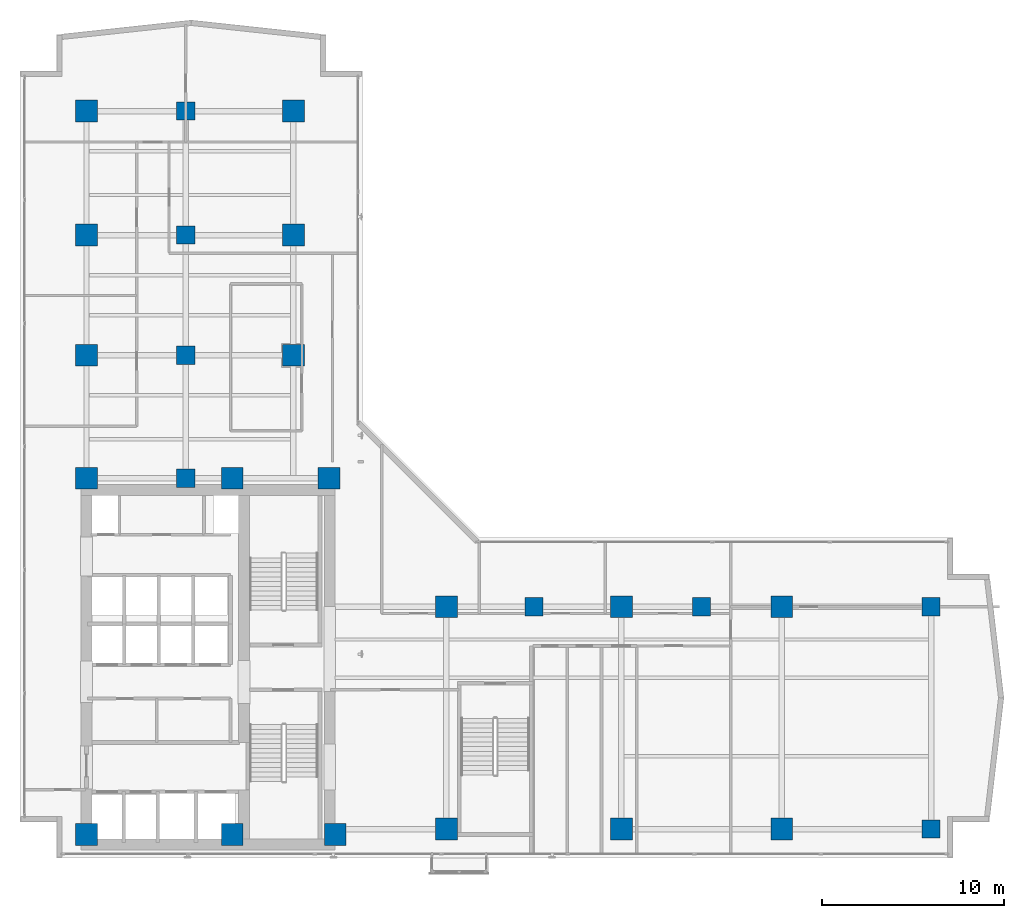
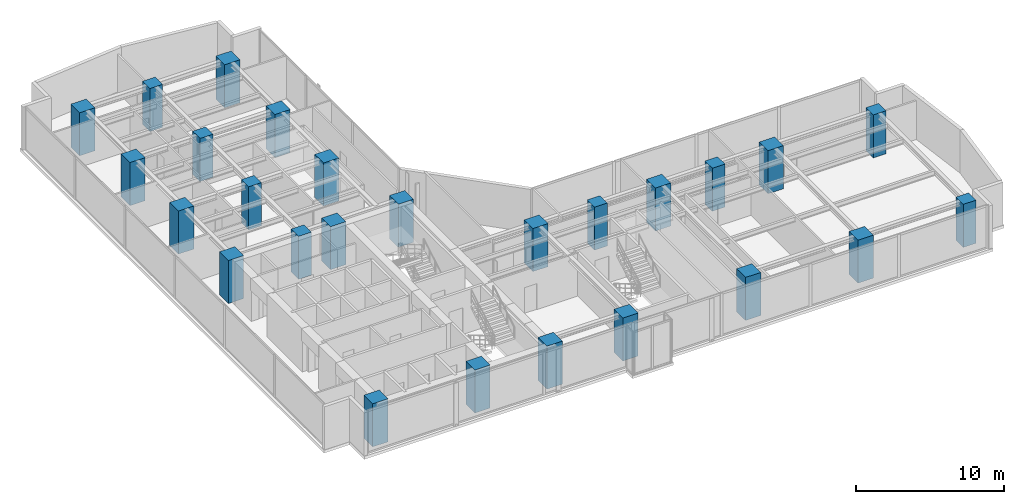
# One storey, part 1 of 24: 26 columns.
"""IFC4 building model written with IfcOpenShell, lengths in metres."""

from ifc_helpers import new_model, si_unit, direction, frame, origin, origin_2d, place, context, subcontext, project, spatial, rectangle, extrude, material, material_profile, profile_set, type_object, element, save


model = new_model("IFC4")

# Units and contexts
model_context = context("Model", 3, precision=1e-05, world=origin(), true_north=direction((0.0, 1.0)))
body_context = subcontext(model_context, "Body", "Model", "MODEL_VIEW")
ifc_project = project(units=[si_unit("LENGTHUNIT", "METRE"), si_unit("AREAUNIT", "SQUARE_METRE"), si_unit("VOLUMEUNIT", "CUBIC_METRE"), si_unit("PLANEANGLEUNIT", "RADIAN"), si_unit("MASSUNIT", "GRAM", prefix="KILO")], contexts=[model_context])

# Site, building, storey
site_placement = place(None, origin())
site = spatial("IfcSite", under=ifc_project, at=site_placement, CompositionType="ELEMENT")
building_placement = place(site_placement, origin())
building = spatial("IfcBuilding", under=site, at=building_placement, Name="Kolvaren Waterfront Exchange", CompositionType="ELEMENT")
storey_placement = place(building_placement, frame((0.0, 0.0, 184.199951171875)))
storey = spatial("IfcBuildingStorey", under=building, at=storey_placement, Name="L47", CompositionType="ELEMENT", Elevation=184.199951171875)

# Columns
ifc_material = material(Name="Concrete C60/75", Category="concrete")
ifc_material_profile_1 = material_profile(ifc_material, rectangle(XDim=1.0, YDim=1.0, at=origin_2d()), Name="RC-COL-1000x1000")
ifc_profile_set_1 = profile_set([ifc_material_profile_1], Name="Concrete C60/75")
column_type_1 = type_object("IfcColumnType", Name="STR-COL-1000-C60", PredefinedType="COLUMN", material=ifc_profile_set_1)
for number, where, z_axis, x_axis, name in (
    (1, (53.800048828125, 5.199951171875, 0.0), (0.0, 0.0, 1.0), (1.0, 0.0, 0.0), "L47 column ZC01"),
    (2, (53.800048828125, 17.39990234375, 0.0), (0.0, 0.0, 1.0), (1.0, 0.0, 0.0), "L47 column ZC02"),
    (3, (12.89990234375, 24.449951171875, 0.0), (0.0, 0.0, 1.0), (1.0, 0.0, 0.0), "L47 column TC01"),
    (4, (12.89990234375, 31.199951171875, 0.0), (0.0, 0.0, 1.0), (1.0, 0.0, 0.0), "L47 column TC02"),
    (5, (12.89990234375, 37.800048828125, 0.0), (0.0, 0.0, 1.0), (1.0, 0.0, 0.0), "L47 column TC03"),
    (6, (12.89990234375, 44.60009765625, 0.0), (0.0, 0.0, 1.0), (1.0, 0.0, 0.0), "L47 column TC04"),
    (7, (32.0, 17.39990234375, 0.0), (0.0, 0.0, 1.0), (1.0, 0.0, 0.0), "L47 column TC05"),
    (8, (41.199951171875, 17.39990234375, 0.0), (0.0, 0.0, 1.0), (1.0, 0.0, 0.0), "L47 column TC06"),
):
    element("IfcColumn", number, at=place(storey_placement, frame(where, z_axis=z_axis, x_axis=x_axis)), inside=storey, type_object=column_type_1, Name=name, PredefinedType="COLUMN", context=body_context, shape_type="SweptSolid", body=[
        extrude(rectangle(XDim=1.0, YDim=1.0, at=origin_2d()), origin(), (0.0, 0.0, 1.0), 3.56005859375),
    ])
ifc_material_profile_2 = material_profile(ifc_material, rectangle(XDim=1.199951171875, YDim=1.199951171875, at=origin_2d()), Name="RC-COL-1200x1200")
ifc_profile_set_2 = profile_set([ifc_material_profile_2], Name="Concrete C60/75")
column_type_2 = type_object("IfcColumnType", Name="STR-COL-1200-C60", PredefinedType="COLUMN", material=ifc_profile_set_2)
for number, where, z_axis, x_axis, name in (
    (9, (7.449951171875, 4.89990234375, 0.0), (0.0, 0.0, 1.0), (1.0, 0.0, 0.0), "L47 column MC01"),
    (10, (15.449951171875, 4.89990234375, 0.0), (0.0, 0.0, 1.0), (1.0, 0.0, 0.0), "L47 column MC02"),
    (11, (21.10009765625, 4.89990234375, 0.0), (0.0, 0.0, 1.0), (1.0, 0.0, 0.0), "L47 column MC03"),
    (12, (7.449951171875, 24.449951171875, 0.0), (0.0, 0.0, 1.0), (1.0, 0.0, 0.0), "L47 column MC04"),
    (13, (15.449951171875, 24.449951171875, 0.0), (0.0, 0.0, 1.0), (1.0, 0.0, 0.0), "L47 column MC05"),
    (14, (20.75, 24.449951171875, 0.0), (0.0, 0.0, 1.0), (1.0, 0.0, 0.0), "L47 column MC06"),
    (15, (7.449951171875, 31.199951171875, 0.0), (0.0, 0.0, 1.0), (1.0, 0.0, 0.0), "L47 column NC01"),
    (16, (7.449951171875, 37.800048828125, 0.0), (0.0, 0.0, 1.0), (1.0, 0.0, 0.0), "L47 column NC02"),
    (17, (7.449951171875, 44.60009765625, 0.0), (0.0, 0.0, 1.0), (1.0, 0.0, 0.0), "L47 column NC03"),
    (18, (18.800048828125, 31.199951171875, 0.0), (0.0, 0.0, 1.0), (1.0, 0.0, 0.0), "L47 column NC04"),
    (19, (18.800048828125, 37.800048828125, 0.0), (0.0, 0.0, 1.0), (1.0, 0.0, 0.0), "L47 column NC05"),
    (20, (18.800048828125, 44.60009765625, 0.0), (0.0, 0.0, 1.0), (1.0, 0.0, 0.0), "L47 column NC06"),
    (21, (27.199951171875, 5.199951171875, 0.0), (0.0, 0.0, 1.0), (1.0, 0.0, 0.0), "L47 column EC01"),
    (22, (36.800048828125, 5.199951171875, 0.0), (0.0, 0.0, 1.0), (1.0, 0.0, 0.0), "L47 column EC02"),
    (23, (45.60009765625, 5.199951171875, 0.0), (0.0, 0.0, 1.0), (1.0, 0.0, 0.0), "L47 column EC03"),
    (24, (27.199951171875, 17.39990234375, 0.0), (0.0, 0.0, 1.0), (1.0, 0.0, 0.0), "L47 column EC04"),
    (25, (36.800048828125, 17.39990234375, 0.0), (0.0, 0.0, 1.0), (1.0, 0.0, 0.0), "L47 column EC05"),
    (26, (45.60009765625, 17.39990234375, 0.0), (0.0, 0.0, 1.0), (1.0, 0.0, 0.0), "L47 column EC06"),
):
    element("IfcColumn", number, at=place(storey_placement, frame(where, z_axis=z_axis, x_axis=x_axis)), inside=storey, type_object=column_type_2, Name=name, PredefinedType="COLUMN", context=body_context, shape_type="SweptSolid", body=[
        extrude(rectangle(XDim=1.199951171875, YDim=1.199951171875, at=origin_2d()), origin(), (0.0, 0.0, 1.0), 3.56005859375),
    ])

save(model, "model.ifc")
